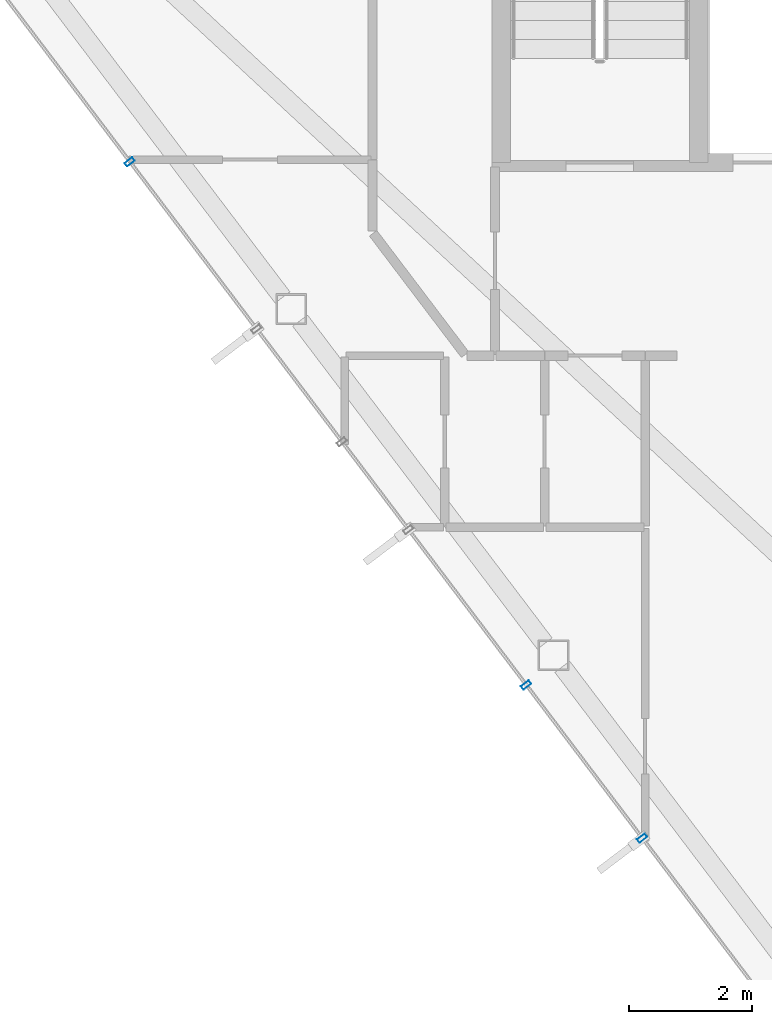
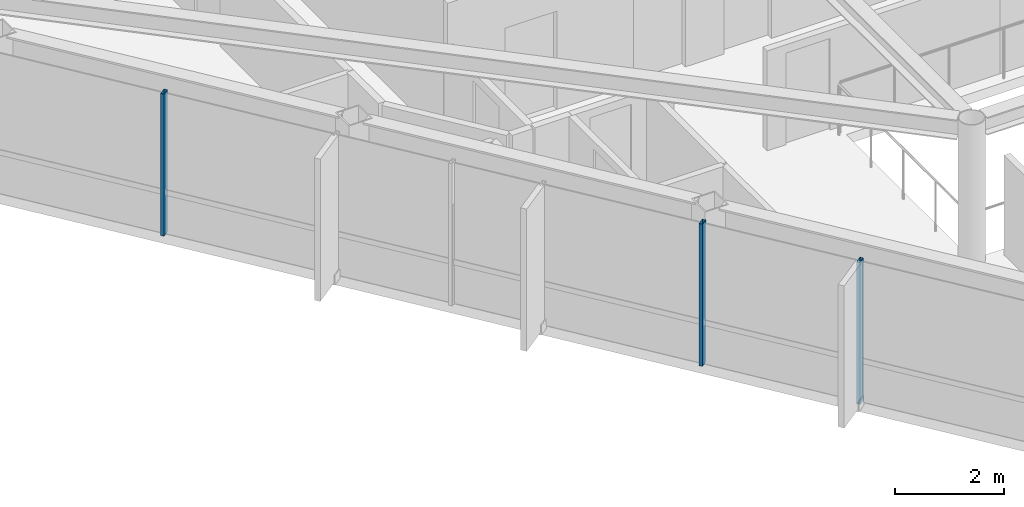
# One storey, part 2 of 26: 3 members, 1 element without a shape of its own.
"""IFC4 building model written with IfcOpenShell, lengths in metres."""

from ifc_helpers import new_model, si_unit, direction, frame, origin, origin_2d, place, context, subcontext, project, spatial, hollow_rectangle, extrude, material, layer, layer_set, material_profile, profile_set, type_object, element, aggregate, save


model = new_model("IFC4")

# Units and contexts
model_context = context("Model", 3, precision=1e-05, world=origin(), true_north=direction((0.0, 1.0)))
body_context = subcontext(model_context, "Body", "Model", "MODEL_VIEW")
ifc_project = project(units=[si_unit("LENGTHUNIT", "METRE"), si_unit("AREAUNIT", "SQUARE_METRE"), si_unit("VOLUMEUNIT", "CUBIC_METRE"), si_unit("PLANEANGLEUNIT", "RADIAN"), si_unit("MASSUNIT", "GRAM", prefix="KILO")], contexts=[model_context])

# Site, building, storey
site_placement = place(None, origin())
site = spatial("IfcSite", under=ifc_project, at=site_placement, CompositionType="ELEMENT")
building_placement = place(site_placement, origin())
building = spatial("IfcBuilding", under=site, at=building_placement, Name="Zarrinselat Tower", CompositionType="ELEMENT")
storey_placement = place(building_placement, frame((0.0, 0.0, 258.39990234375)))
storey = spatial("IfcBuildingStorey", under=building, at=storey_placement, Name="L65", CompositionType="ELEMENT", Elevation=258.39990234375)

# Curtain wall, members
ifc_material_1 = material(Name="Extruded Aluminium Alloy EN AW-6063 T6", Category="aluminium")
ifc_layer = layer(ifc_material_1, 0.169921875)
ifc_layer_set = layer_set([ifc_layer], Name="Extruded Aluminium Alloy EN AW-6063 T6")
curtain_wall_type = type_object("IfcCurtainWallType", Name="CWS-RES", PredefinedType="NOTDEFINED", material=ifc_layer_set)
curtain_wall_placement = place(storey_placement, origin())
curtain_wall = element("IfcCurtainWall", 1, at=curtain_wall_placement, inside=storey, type_object=curtain_wall_type, Name="L65 Unitised Curtain Wall CW-L65-E03", PredefinedType="NOTDEFINED")
ifc_material_2 = material(Name="Extruded Aluminium Alloy EN AW-6063 T6", Category="aluminium")
ifc_material_profile = material_profile(ifc_material_2, hollow_rectangle(XDim=0.070068359375, YDim=0.159912109375, WallThickness=0.00390625, at=origin_2d()), Name="RHS 160x70x4")
ifc_profile_set = profile_set([ifc_material_profile], Name="Extruded Aluminium Alloy EN AW-6063 T6")
member_type = type_object("IfcMemberType", Name="MEM-CW-MUL2", PredefinedType="MULLION", material=ifc_profile_set)
member_1_placement = place(storey_placement, frame((22.59326171875, 33.311767578125, 0.0), z_axis=(0.0, 0.0, 1.0), x_axis=(0.603858282603, -0.797091697694, 0.0)))
member_1 = element("IfcMember", 2, at=member_1_placement, type_object=member_type, Name="CW-L65-E03 Mullion 4", PredefinedType="MULLION", context=body_context, shape_type="SweptSolid", body=[
    extrude(hollow_rectangle(XDim=0.070068359375, YDim=0.159912109375, WallThickness=0.00390625, at=origin_2d()), origin(), (0.0, 0.0, 1.0), 3.18017578125),
])
member_2_placement = place(storey_placement, frame((29.05810546875, 24.7783203125, 0.0), z_axis=(0.0, 0.0, 1.0), x_axis=(0.603858282603, -0.797091697694, 0.0)))
member_2 = element("IfcMember", 3, at=member_2_placement, type_object=member_type, Name="CW-L65-E03 Mullion 8", PredefinedType="MULLION", context=body_context, shape_type="SweptSolid", body=[
    extrude(hollow_rectangle(XDim=0.070068359375, YDim=0.159912109375, WallThickness=0.00390625, at=origin_2d()), origin(), (0.0, 0.0, 1.0), 3.18017578125),
])
member_3_placement = place(storey_placement, frame((30.9501953125, 22.280517578125, 0.0), z_axis=(0.0, 0.0, 1.0), x_axis=(0.603858282603, -0.797091697694, 0.0)))
member_3 = element("IfcMember", 4, at=member_3_placement, type_object=member_type, Name="CW-L65-E03 Mullion 9", PredefinedType="MULLION", context=body_context, shape_type="SweptSolid", body=[
    extrude(hollow_rectangle(XDim=0.070068359375, YDim=0.159912109375, WallThickness=0.00390625, at=origin_2d()), origin(), (0.0, 0.0, 1.0), 3.18017578125),
])
aggregate(curtain_wall, [member_1, member_2, member_3])

save(model, "model.ifc")
